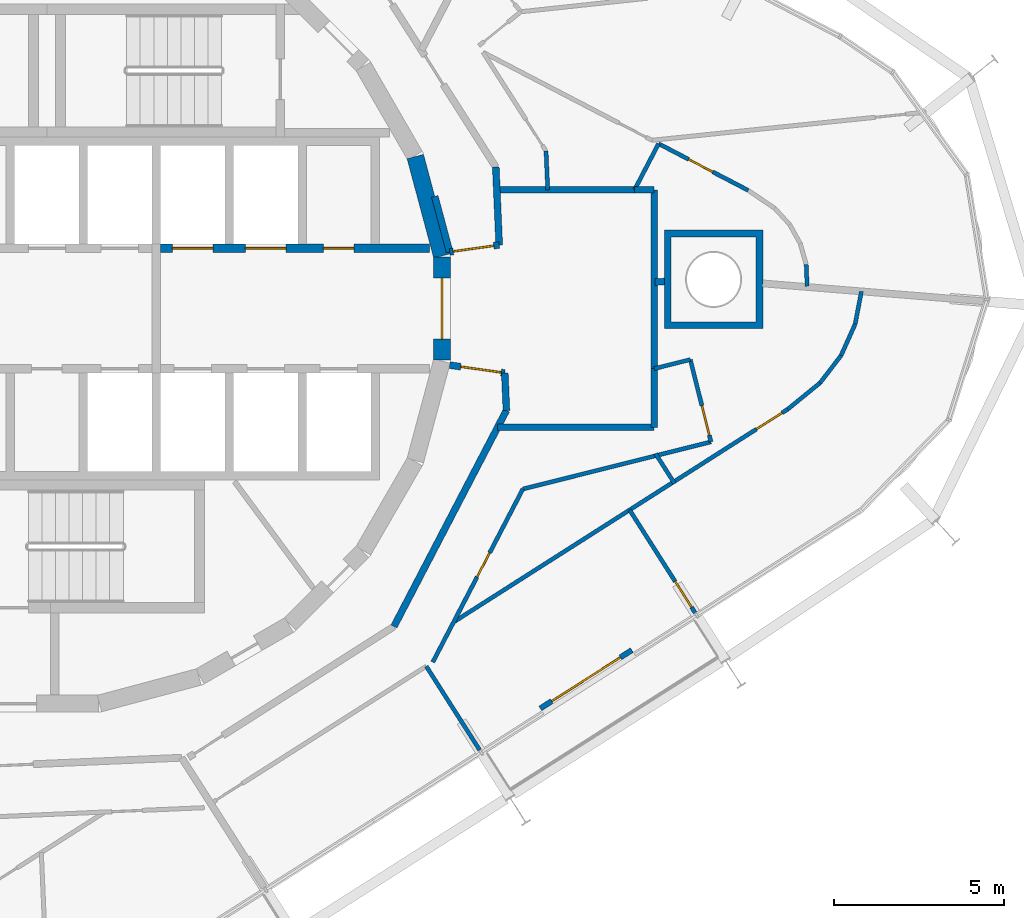
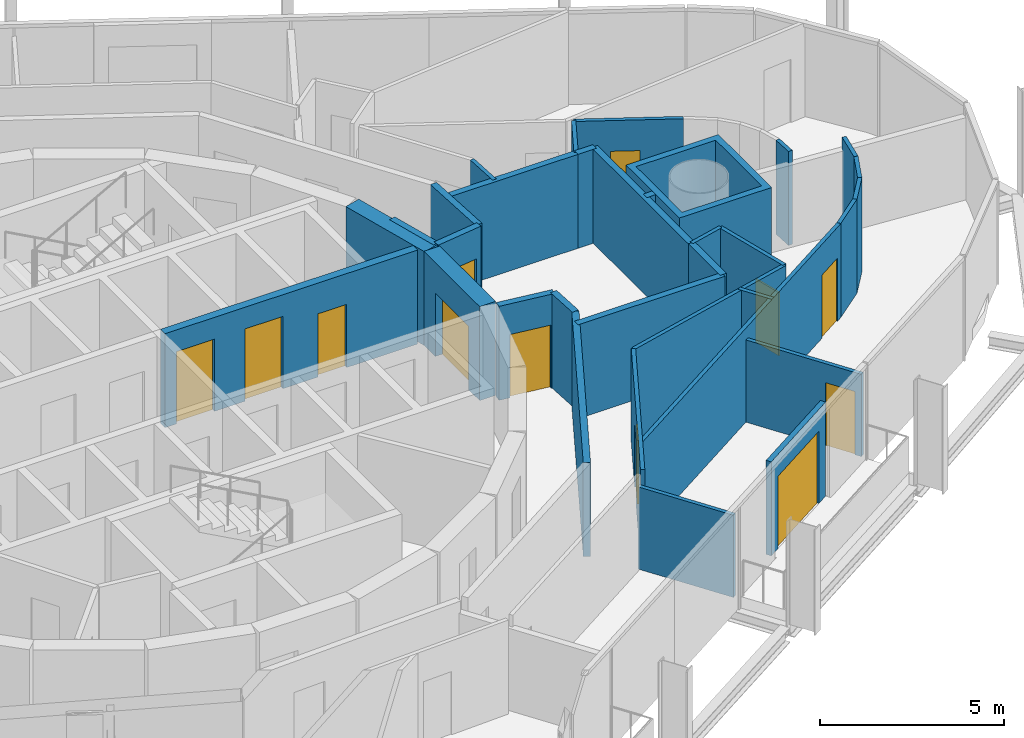
# One storey, part 14 of 18: 33 walls, 12 doors, 12 openings.
"""IFC4 building model written with IfcOpenShell, lengths in metres."""

from ifc_helpers import new_model, si_unit, direction, frame, frame_2d, origin, place, context, subcontext, project, spatial, polyline, rectangle, outline, extrude, material, layer, layer_set, type_object, element, fill, save


model = new_model("IFC4")

# Units and contexts
model_context = context("Model", 3, precision=1e-05, world=origin(), true_north=direction((0.0, 1.0)))
body_context = subcontext(model_context, "Body", "Model", "MODEL_VIEW")
ifc_project = project(units=[si_unit("LENGTHUNIT", "METRE"), si_unit("AREAUNIT", "SQUARE_METRE"), si_unit("VOLUMEUNIT", "CUBIC_METRE"), si_unit("PLANEANGLEUNIT", "RADIAN"), si_unit("MASSUNIT", "GRAM", prefix="KILO")], contexts=[model_context])

# Site, building, storey
site_placement = place(None, origin())
site = spatial("IfcSite", under=ifc_project, at=site_placement, CompositionType="ELEMENT")
building_placement = place(site_placement, origin())
building = spatial("IfcBuilding", under=site, at=building_placement, Name="Spindle Arch Residences", CompositionType="ELEMENT")
storey_placement = place(building_placement, frame((0.0, 0.0, 247.699951171875)))
storey = spatial("IfcBuildingStorey", under=building, at=storey_placement, Name="L63", CompositionType="ELEMENT", Elevation=247.699951171875)

# Wall, opening, door
ifc_material_1 = material(Name="Concrete C50/60", Category="concrete")
ifc_layer_1 = layer(ifc_material_1, 0.5)
ifc_layer_set_1 = layer_set([ifc_layer_1], Name="Core outline wall 500")
wall_type_1 = type_object("IfcWallType", Name="Core outline wall 500", PredefinedType="SHEAR", material=ifc_layer_set_1)
wall_1_placement = place(storey_placement, frame((11.647216796875, -1.516357421875, 0.0), z_axis=(0.0, 0.0, 1.0), x_axis=(0.0, 1.0, 0.0)))
wall_1 = element("IfcWall", 1, at=wall_1_placement, inside=storey, type_object=wall_type_1, Name="Core outline wall 6", PredefinedType="SHEAR", context=body_context, shape_type="SweptSolid", body=[
    extrude(rectangle(XDim=3.03271484375, YDim=0.5, at=frame_2d((1.516357421875, 0.0))), origin(), (0.0, 0.0, 1.0), 3.1201171875),
])
opening_1_placement = place(wall_1_placement, frame((0.6162109375, 0.0, 0.0)))
opening_1 = element("IfcOpeningElement", 2, at=opening_1_placement, cuts=wall_1, Name="Opening R6C0-FE01", PredefinedType="OPENING", context=body_context, shape_type="SweptSolid", body=[
    extrude(rectangle(XDim=1.800048828125, YDim=2.10009765625, at=frame_2d((0.89990234375, 1.050048828125))), frame((0.0, 0.260009765625, 0.0), z_axis=(0.0, -1.0, 0.0), x_axis=(1.0, 0.0, 0.0)), (0.0, 0.0, 1.0), 0.52001953125),
])
ifc_material_2 = material(Name="Steel, fire-resisting door", Category="steel")
door_type_1 = type_object("IfcDoorType", Name="Fire-lift lobby door 1800x2100", OperationType="DOUBLE_DOOR_SINGLE_SWING", PredefinedType="DOOR", material=ifc_material_2)
door_1_placement = place(opening_1_placement, origin())
door_1 = element("IfcDoor", 3, at=door_1_placement, inside=storey, type_object=door_type_1, Name="Fire-lift lobby door R6C0-FE01", OperationType="DOUBLE_DOOR_SINGLE_SWING", OverallHeight=2.10009765625, OverallWidth=1.800048828125, PredefinedType="DOOR", context=body_context, shape_type="SweptSolid", body=[
    extrude(rectangle(XDim=1.800048828125, YDim=2.10009765625, at=frame_2d((0.89990234375, 1.050048828125))), frame((0.0, 0.02490234375, 0.0), z_axis=(0.0, -1.0, 0.0), x_axis=(1.0, 0.0, 0.0)), (0.0, 0.0, 1.0), 0.050048828125),
])
fill(opening_1, door_1)

# Walls
wall_2_placement = place(storey_placement, frame((11.642822265625, 1.5498046875, 0.0), z_axis=(0.0, 0.0, 1.0), x_axis=(-0.258734743916, 0.965948410781, 0.0)))
element("IfcWall", 4, at=wall_2_placement, inside=storey, type_object=wall_type_1, Name="Core outline wall 7", PredefinedType="SHEAR", context=body_context, shape_type="SweptSolid", body=[
    extrude(rectangle(XDim=3.03271484375, YDim=0.5, at=frame_2d((1.516357421875, 0.0))), origin(), (0.0, 0.0, 1.0), 3.1201171875),
])
ifc_material_3 = material(Name="Calcium silicate block, plastered")
ifc_layer_2 = layer(ifc_material_3, 0.199951171875)
ifc_layer_set_2 = layer_set([ifc_layer_2], Name="Fire-lift lobby bay wall 200")
wall_type_2 = type_object("IfcWallType", Name="Fire-lift lobby bay wall 200", PredefinedType="STANDARD", material=ifc_layer_set_2)
wall_3_placement = place(storey_placement, frame((11.8701171875, 1.668212890625, 0.0), z_axis=(0.0, 0.0, 1.0), x_axis=(-0.258836880648, 0.965921047093, 0.0)))
element("IfcWall", 5, at=wall_3_placement, inside=storey, type_object=wall_type_2, Name="Fire-lift lobby bay wall R6C0-W001", PredefinedType="STANDARD", context=body_context, shape_type="SweptSolid", body=[
    extrude(rectangle(XDim=1.695068359375, YDim=0.199951171875, at=frame_2d((0.84765625, 0.0))), origin(), (0.0, 0.0, 1.0), 3.1201171875),
])

# Wall, opening, door
wall_4_placement = place(storey_placement, frame((11.8701171875, 1.668212890625, 0.0), z_axis=(0.0, 0.0, 1.0), x_axis=(0.990267985606, 0.139173692496, 0.0)))
wall_4 = element("IfcWall", 6, at=wall_4_placement, inside=storey, type_object=wall_type_2, Name="Fire-lift lobby bay wall R6C0-W002", PredefinedType="STANDARD", context=body_context, shape_type="SweptSolid", body=[
    extrude(rectangle(XDim=1.475341796875, YDim=0.199951171875, at=frame_2d((0.73779296875, 0.0))), origin(), (0.0, 0.0, 1.0), 3.1201171875),
])
opening_2_placement = place(wall_4_placement, frame((0.110107421875, 0.0, 0.0)))
opening_2 = element("IfcOpeningElement", 7, at=opening_2_placement, cuts=wall_4, Name="Opening R6C0-CD01", PredefinedType="OPENING", context=body_context, shape_type="SweptSolid", body=[
    extrude(rectangle(XDim=1.199951171875, YDim=2.10009765625, at=frame_2d((0.60009765625, 1.050048828125))), frame((0.0, 0.10986328125, 0.0), z_axis=(0.0, -1.0, 0.0), x_axis=(1.0, 0.0, 0.0)), (0.0, 0.0, 1.0), 0.219970703125),
])
ifc_material_4 = material(Name="Steel, fire-resisting door", Category="steel")
door_type_2 = type_object("IfcDoorType", Name="Corridor division door 1200x2100", OperationType="NOTDEFINED", PredefinedType="DOOR", material=ifc_material_4)
door_2_placement = place(opening_2_placement, origin())
door_2 = element("IfcDoor", 8, at=door_2_placement, inside=storey, type_object=door_type_2, Name="Corridor division door R6C0-CD01", OperationType="DOUBLE_DOOR_SINGLE_SWING", OverallHeight=2.10009765625, OverallWidth=1.199951171875, PredefinedType="DOOR", context=body_context, shape_type="SweptSolid", body=[
    extrude(rectangle(XDim=1.199951171875, YDim=2.10009765625, at=frame_2d((0.60009765625, 1.050048828125))), frame((0.0, 0.02490234375, 0.0), z_axis=(0.0, -1.0, 0.0), x_axis=(1.0, 0.0, 0.0)), (0.0, 0.0, 1.0), 0.050048828125),
])
fill(opening_2, door_2)

# Walls
wall_5_placement = place(storey_placement, frame((13.3310546875, 1.87353515625, 0.0), z_axis=(0.0, 0.0, 1.0), x_axis=(-0.043621457762, 0.999048131184, 0.0)))
element("IfcWall", 9, at=wall_5_placement, inside=storey, type_object=wall_type_2, Name="Fire-lift lobby bay wall R6C0-W003", PredefinedType="STANDARD", context=body_context, shape_type="SweptSolid", body=[
    extrude(rectangle(XDim=2.30029296875, YDim=0.199951171875, at=frame_2d((1.150146484375, 0.0))), origin(), (0.0, 0.0, 1.0), 3.1201171875),
])
wall_6_placement = place(storey_placement, frame((10.22802734375, -9.372314453125, 0.0), z_axis=(0.0, 0.0, 1.0), x_axis=(0.461759464021, 0.887005184532, 0.0)))
element("IfcWall", 10, at=wall_6_placement, inside=storey, type_object=wall_type_2, Name="Fire-lift lobby bay wall R6C0-W013", PredefinedType="STANDARD", context=body_context, shape_type="SweptSolid", body=[
    extrude(rectangle(XDim=7.18115234375, YDim=0.199951171875, at=frame_2d((3.590576171875, 0.0))), origin(), (0.0, 0.0, 1.0), 3.1201171875),
])
wall_7_placement = place(storey_placement, frame((13.5439453125, -3.002685546875, 0.0), z_axis=(0.0, 0.0, 1.0), x_axis=(-0.043666917606, 0.999046145234, 0.0)))
element("IfcWall", 11, at=wall_7_placement, inside=storey, type_object=wall_type_2, Name="Fire-lift lobby bay wall R6C0-W014", PredefinedType="STANDARD", context=body_context, shape_type="SweptSolid", body=[
    extrude(rectangle(XDim=1.10693359375, YDim=0.199951171875, at=frame_2d((0.553466796875, 0.0))), origin(), (0.0, 0.0, 1.0), 3.1201171875),
])

# Wall, opening, door
wall_8_placement = place(storey_placement, frame((13.49560546875, -1.896728515625, 0.0), z_axis=(0.0, 0.0, 1.0), x_axis=(-0.99026234641, 0.139213811391, 0.0)))
wall_8 = element("IfcWall", 12, at=wall_8_placement, inside=storey, type_object=wall_type_2, Name="Fire-lift lobby bay wall R6C0-W015", PredefinedType="STANDARD", context=body_context, shape_type="SweptSolid", body=[
    extrude(rectangle(XDim=1.641357421875, YDim=0.199951171875, at=frame_2d((0.82080078125, 0.0))), origin(), (0.0, 0.0, 1.0), 3.1201171875),
])
opening_3_placement = place(wall_8_placement, frame((0.110107421875, 0.0, 0.0)))
opening_3 = element("IfcOpeningElement", 13, at=opening_3_placement, cuts=wall_8, Name="Opening R6C0-CD02", PredefinedType="OPENING", context=body_context, shape_type="SweptSolid", body=[
    extrude(rectangle(XDim=1.199951171875, YDim=2.10009765625, at=frame_2d((0.60009765625, 1.050048828125))), frame((0.0, 0.10986328125, 0.0), z_axis=(0.0, -1.0, 0.0), x_axis=(1.0, 0.0, 0.0)), (0.0, 0.0, 1.0), 0.219970703125),
])
door_3_placement = place(opening_3_placement, origin())
door_3 = element("IfcDoor", 14, at=door_3_placement, inside=storey, type_object=door_type_2, Name="Corridor division door R6C0-CD02", OperationType="DOUBLE_DOOR_SINGLE_SWING", OverallHeight=2.10009765625, OverallWidth=1.199951171875, PredefinedType="DOOR", context=body_context, shape_type="SweptSolid", body=[
    extrude(rectangle(XDim=1.199951171875, YDim=2.10009765625, at=frame_2d((0.60009765625, 1.050048828125))), frame((0.0, 0.02490234375, 0.0), z_axis=(0.0, -1.0, 0.0), x_axis=(1.0, 0.0, 0.0)), (0.0, 0.0, 1.0), 0.050048828125),
])
fill(opening_3, door_3)

# Walls
wall_9_placement = place(storey_placement, frame((17.32080078125, 3.5, 0.0), z_axis=(0.0, 0.0, 1.0), x_axis=(-1.0, 0.0, 0.0)))
element("IfcWall", 15, at=wall_9_placement, inside=storey, type_object=wall_type_2, Name="Fire-lift lobby bay wall R6C0-W025", PredefinedType="STANDARD", context=body_context, shape_type="SweptSolid", body=[
    extrude(rectangle(XDim=4.060791015625, YDim=0.199951171875, at=frame_2d((2.0302734375, 0.0))), origin(), (0.0, 0.0, 1.0), 3.1201171875),
])
wall_10_placement = place(storey_placement, frame((17.89990234375, -1.77197265625, 0.0), z_axis=(0.0, 0.0, 1.0), x_axis=(0.0, 1.0, 0.0)))
element("IfcWall", 16, at=wall_10_placement, inside=storey, type_object=wall_type_2, Name="Fire-lift lobby bay wall R6C0-W026", PredefinedType="STANDARD", context=body_context, shape_type="SweptSolid", body=[
    extrude(rectangle(XDim=5.27197265625, YDim=0.199951171875, at=frame_2d((2.635986328125, 0.0))), origin(), (0.0, 0.0, 1.0), 3.1201171875),
])
wall_11_placement = place(storey_placement, frame((17.89990234375, 3.5, 0.0), z_axis=(0.0, 0.0, 1.0), x_axis=(-1.0, 0.0, 0.0)))
element("IfcWall", 17, at=wall_11_placement, inside=storey, type_object=wall_type_2, Name="Fire-lift lobby bay wall R6C0-W027", PredefinedType="STANDARD", context=body_context, shape_type="SweptSolid", body=[
    extrude(rectangle(XDim=0.5791015625, YDim=0.199951171875, at=frame_2d((0.28955078125, 0.0))), origin(), (0.0, 0.0, 1.0), 3.1201171875),
])
wall_12_placement = place(storey_placement, frame((13.284912109375, -3.5, 0.0), z_axis=(0.0, 0.0, 1.0), x_axis=(1.0, 0.0, 0.0)))
element("IfcWall", 18, at=wall_12_placement, inside=storey, type_object=wall_type_2, Name="Fire-lift lobby bay wall R6C0-W028", PredefinedType="STANDARD", context=body_context, shape_type="SweptSolid", body=[
    extrude(rectangle(XDim=4.614990234375, YDim=0.199951171875, at=frame_2d((2.3076171875, 0.0))), origin(), (0.0, 0.0, 1.0), 3.1201171875),
])
wall_13_placement = place(storey_placement, frame((17.89990234375, -3.5, 0.0), z_axis=(0.0, 0.0, 1.0), x_axis=(0.0, 1.0, 0.0)))
element("IfcWall", 19, at=wall_13_placement, inside=storey, type_object=wall_type_2, Name="Fire-lift lobby bay wall R6C0-W029", PredefinedType="STANDARD", context=body_context, shape_type="SweptSolid", body=[
    extrude(rectangle(XDim=1.72802734375, YDim=0.199951171875, at=frame_2d((0.864013671875, 0.0))), origin(), (0.0, 0.0, 1.0), 3.1201171875),
])

# Wall, openings, doors
ifc_material_5 = material(Name="Concrete C40/50", Category="concrete")
ifc_layer_3 = layer(ifc_material_5, 0.25)
ifc_layer_set_3 = layer_set([ifc_layer_3], Name="Fire-lift lobby wall 250")
wall_type_3 = type_object("IfcWallType", Name="Fire-lift lobby wall 250", PredefinedType="SHEAR", material=ifc_layer_set_3)
wall_14_placement = place(storey_placement, frame((3.35009765625, 1.77490234375, 0.0), z_axis=(0.0, 0.0, 1.0), x_axis=(1.0, 0.0, 0.0)))
wall_14 = element("IfcWall", 20, at=wall_14_placement, inside=storey, type_object=wall_type_3, Name="Lift shaft front wall NE", PredefinedType="SHEAR", context=body_context, shape_type="SweptSolid", body=[
    extrude(rectangle(XDim=7.929931640625, YDim=0.25, at=frame_2d((3.96484375, 0.0))), origin(), (0.0, 0.0, 1.0), 3.1201171875),
])
opening_4_placement = place(wall_14_placement, frame((0.35009765625, 0.0, 0.0)))
opening_4 = element("IfcOpeningElement", 21, at=opening_4_placement, cuts=wall_14, Name="Opening R6C0-SLD01", PredefinedType="OPENING", context=body_context, shape_type="SweptSolid", body=[
    extrude(rectangle(XDim=1.199951171875, YDim=2.39990234375, at=frame_2d((0.60009765625, 1.199951171875))), frame((0.0, 0.135009765625, 0.0), z_axis=(0.0, -1.0, 0.0), x_axis=(1.0, 0.0, 0.0)), (0.0, 0.0, 1.0), 0.27001953125),
])
opening_5_placement = place(wall_14_placement, frame((2.5, 0.0, 0.0)))
opening_5 = element("IfcOpeningElement", 22, at=opening_5_placement, cuts=wall_14, Name="Opening R6C0-SLD02", PredefinedType="OPENING", context=body_context, shape_type="SweptSolid", body=[
    extrude(rectangle(XDim=1.199951171875, YDim=2.39990234375, at=frame_2d((0.60009765625, 1.199951171875))), frame((0.0, 0.135009765625, 0.0), z_axis=(0.0, -1.0, 0.0), x_axis=(1.0, 0.0, 0.0)), (0.0, 0.0, 1.0), 0.27001953125),
])
opening_6_placement = place(wall_14_placement, frame((4.800048828125, 0.0, 0.0)))
opening_6 = element("IfcOpeningElement", 23, at=opening_6_placement, cuts=wall_14, Name="Opening R6C0-WD02", PredefinedType="OPENING", context=body_context, shape_type="SweptSolid", body=[
    extrude(rectangle(XDim=0.89990234375, YDim=2.10009765625, at=frame_2d((0.449951171875, 1.050048828125))), frame((0.0, 0.135009765625, 0.0), z_axis=(0.0, -1.0, 0.0), x_axis=(1.0, 0.0, 0.0)), (0.0, 0.0, 1.0), 0.27001953125),
])
ifc_material_6 = material(Name="Steel, fire-resisting landing door", Category="steel")
door_type_3 = type_object("IfcDoorType", Name="Service lift landing door 1200x2400", OperationType="DOUBLE_DOOR_SLIDING", PredefinedType="DOOR", material=ifc_material_6)
door_4_placement = place(opening_4_placement, origin())
door_4 = element("IfcDoor", 24, at=door_4_placement, inside=storey, type_object=door_type_3, Name="Service lift landing door R6C0-SLD01", OperationType="DOUBLE_DOOR_SLIDING", OverallHeight=2.39990234375, OverallWidth=1.199951171875, PredefinedType="DOOR", context=body_context, shape_type="SweptSolid", body=[
    extrude(rectangle(XDim=1.199951171875, YDim=2.39990234375, at=frame_2d((0.60009765625, 1.199951171875))), frame((0.0, 0.02490234375, 0.0), z_axis=(0.0, -1.0, 0.0), x_axis=(1.0, 0.0, 0.0)), (0.0, 0.0, 1.0), 0.050048828125),
])
fill(opening_4, door_4)
door_5_placement = place(opening_5_placement, origin())
door_5 = element("IfcDoor", 25, at=door_5_placement, inside=storey, type_object=door_type_3, Name="Service lift landing door R6C0-SLD02", OperationType="DOUBLE_DOOR_SLIDING", OverallHeight=2.39990234375, OverallWidth=1.199951171875, PredefinedType="DOOR", context=body_context, shape_type="SweptSolid", body=[
    extrude(rectangle(XDim=1.199951171875, YDim=2.39990234375, at=frame_2d((0.60009765625, 1.199951171875))), frame((0.0, 0.02490234375, 0.0), z_axis=(0.0, -1.0, 0.0), x_axis=(1.0, 0.0, 0.0)), (0.0, 0.0, 1.0), 0.050048828125),
])
fill(opening_5, door_5)
ifc_material_7 = material(Name="Steel, fire-resisting door", Category="steel")
door_type_4 = type_object("IfcDoorType", Name="Service room door 900x2100", OperationType="SINGLE_SWING_LEFT", PredefinedType="DOOR", material=ifc_material_7)
door_6_placement = place(opening_6_placement, origin())
door_6 = element("IfcDoor", 26, at=door_6_placement, inside=storey, type_object=door_type_4, Name="Service room door R6C0-WD02", OperationType="SINGLE_SWING_RIGHT", OverallHeight=2.10009765625, OverallWidth=0.89990234375, PredefinedType="DOOR", context=body_context, shape_type="SweptSolid", body=[
    extrude(rectangle(XDim=0.89990234375, YDim=2.10009765625, at=frame_2d((0.449951171875, 1.050048828125))), frame((0.0, 0.02490234375, 0.0), z_axis=(0.0, -1.0, 0.0), x_axis=(1.0, 0.0, 0.0)), (0.0, 0.0, 1.0), 0.050048828125),
])
fill(opening_6, door_6)

# Wall
ifc_material_8 = material(Name="Plasterboard on steel studs", Category="steel")
ifc_layer_4 = layer(ifc_material_8, 0.1201171875)
ifc_layer_set_4 = layer_set([ifc_layer_4], Name="Flat partition 120")
wall_type_4 = type_object("IfcWallType", Name="Flat partition 120", PredefinedType="PARTITIONING", material=ifc_layer_set_4)
wall_15_placement = place(storey_placement, frame((14.761474609375, 3.5, 0.0), z_axis=(0.0, 0.0, 1.0), x_axis=(-0.04369750018, 0.999044808043, 0.0)))
element("IfcWall", 27, at=wall_15_placement, inside=storey, type_object=wall_type_4, Name="Flat partition R6C0-W042", PredefinedType="PARTITIONING", context=body_context, shape_type="SweptSolid", body=[
    extrude(rectangle(XDim=1.1396484375, YDim=0.1201171875, at=frame_2d((0.56982421875, 0.0))), origin(), (0.0, 0.0, 1.0), 3.1201171875),
])

# Wall, opening, door
wall_16_placement = place(storey_placement, frame((18.028076171875, 4.85888671875, 0.0), z_axis=(0.0, 0.0, 1.0), x_axis=(0.88702512027, -0.46172116695, 0.0)))
wall_16 = element("IfcWall", 28, at=wall_16_placement, inside=storey, type_object=wall_type_4, Name="Flat partition R6C0-W047", PredefinedType="PARTITIONING", context=body_context, shape_type="SweptSolid", body=[
    extrude(rectangle(XDim=2.983154296875, YDim=0.1201171875, at=frame_2d((1.49169921875, 0.0))), origin(), (0.0, 0.0, 1.0), 3.1201171875),
])
opening_7_placement = place(wall_16_placement, frame((1.0, 0.0, 0.0)))
opening_7 = element("IfcOpeningElement", 29, at=opening_7_placement, cuts=wall_16, Name="Opening R6C0-BD01", PredefinedType="OPENING", context=body_context, shape_type="SweptSolid", body=[
    extrude(rectangle(XDim=0.800048828125, YDim=2.10009765625, at=frame_2d((0.39990234375, 1.050048828125))), frame((0.0, 0.070068359375, 0.0), z_axis=(0.0, -1.0, 0.0), x_axis=(1.0, 0.0, 0.0)), (0.0, 0.0, 1.0), 0.14013671875),
])
ifc_material_9 = material(Name="Timber door set", Category="wood")
door_type_5 = type_object("IfcDoorType", Name="Bathroom door 800x2100", OperationType="NOTDEFINED", PredefinedType="DOOR", material=ifc_material_9)
door_7_placement = place(opening_7_placement, origin())
door_7 = element("IfcDoor", 30, at=door_7_placement, inside=storey, type_object=door_type_5, Name="Bathroom door R6C0-BD01", OperationType="SINGLE_SWING_RIGHT", OverallHeight=2.10009765625, OverallWidth=0.800048828125, PredefinedType="DOOR", context=body_context, shape_type="SweptSolid", body=[
    extrude(rectangle(XDim=0.800048828125, YDim=2.10009765625, at=frame_2d((0.39990234375, 1.050048828125))), frame((0.0, 0.02490234375, 0.0), z_axis=(0.0, -1.0, 0.0), x_axis=(1.0, 0.0, 0.0)), (0.0, 0.0, 1.0), 0.050048828125),
])
fill(opening_7, door_7)

# Walls
wall_17_placement = place(storey_placement, frame((22.37939453125, 1.29833984375, 0.0), z_axis=(0.0, 0.0, 1.0), x_axis=(0.043354705242, -0.999059742725, 0.0)))
element("IfcWall", 31, at=wall_17_placement, inside=storey, type_object=wall_type_4, Name="Flat partition R6C0-W052", PredefinedType="PARTITIONING", context=body_context, shape_type="SweptSolid", body=[
    extrude(rectangle(XDim=0.641845703125, YDim=0.1201171875, at=frame_2d((0.32080078125, 0.0))), origin(), (0.0, 0.0, 1.0), 3.1201171875),
])
wall_18_placement = place(storey_placement, frame((18.028076171875, 4.85888671875, 0.0), z_axis=(0.0, 0.0, 1.0), x_axis=(-0.461688901614, -0.887041914526, 0.0)))
element("IfcWall", 32, at=wall_18_placement, inside=storey, type_object=wall_type_4, Name="Flat partition R6C0-W054", PredefinedType="PARTITIONING", context=body_context, shape_type="SweptSolid", body=[
    extrude(rectangle(XDim=1.531982421875, YDim=0.1201171875, at=frame_2d((0.76611328125, 0.0))), origin(), (0.0, 0.0, 1.0), 3.1201171875),
])

# Wall, opening, door
wall_19_placement = place(storey_placement, frame((11.373046875, -10.42138671875, 0.0), z_axis=(0.0, 0.0, 1.0), x_axis=(0.461738939635, 0.887015868869, 0.0)))
wall_19 = element("IfcWall", 33, at=wall_19_placement, inside=storey, type_object=wall_type_4, Name="Flat partition R6C0-W109", PredefinedType="PARTITIONING", context=body_context, shape_type="SweptSolid", body=[
    extrude(rectangle(XDim=5.751708984375, YDim=0.1201171875, at=frame_2d((2.8759765625, 0.0))), origin(), (0.0, 0.0, 1.0), 3.1201171875),
])
opening_8_placement = place(wall_19_placement, frame((2.831298828125, 0.0, 0.0)))
opening_8 = element("IfcOpeningElement", 34, at=opening_8_placement, cuts=wall_19, Name="Opening R6C0-BD06", PredefinedType="OPENING", context=body_context, shape_type="SweptSolid", body=[
    extrude(rectangle(XDim=0.800048828125, YDim=2.10009765625, at=frame_2d((0.39990234375, 1.050048828125))), frame((0.0, 0.070068359375, 0.0), z_axis=(0.0, -1.0, 0.0), x_axis=(1.0, 0.0, 0.0)), (0.0, 0.0, 1.0), 0.14013671875),
])
door_8_placement = place(opening_8_placement, origin())
door_8 = element("IfcDoor", 35, at=door_8_placement, inside=storey, type_object=door_type_5, Name="Bathroom door R6C0-BD06", OperationType="SINGLE_SWING_RIGHT", OverallHeight=2.10009765625, OverallWidth=0.800048828125, PredefinedType="DOOR", context=body_context, shape_type="SweptSolid", body=[
    extrude(rectangle(XDim=0.800048828125, YDim=2.10009765625, at=frame_2d((0.39990234375, 1.050048828125))), frame((0.0, 0.02490234375, 0.0), z_axis=(0.0, -1.0, 0.0), x_axis=(1.0, 0.0, 0.0)), (0.0, 0.0, 1.0), 0.050048828125),
])
fill(opening_8, door_8)

# Wall
wall_20_placement = place(storey_placement, frame((14.02880859375, -5.319580078125, 0.0), z_axis=(0.0, 0.0, 1.0), x_axis=(0.969999099814, 0.243108507378, 0.0)))
element("IfcWall", 36, at=wall_20_placement, inside=storey, type_object=wall_type_4, Name="Flat partition R6C0-W110", PredefinedType="PARTITIONING", context=body_context, shape_type="SweptSolid", body=[
    extrude(rectangle(XDim=5.715087890625, YDim=0.1201171875, at=frame_2d((2.857421875, 0.0))), origin(), (0.0, 0.0, 1.0), 3.1201171875),
])

# Wall, opening, door
wall_21_placement = place(storey_placement, frame((19.572509765625, -3.93017578125, 0.0), z_axis=(0.0, 0.0, 1.0), x_axis=(-0.243155959183, 0.96998720585, 0.0)))
wall_21 = element("IfcWall", 37, at=wall_21_placement, inside=storey, type_object=wall_type_4, Name="Flat partition R6C0-W111", PredefinedType="PARTITIONING", context=body_context, shape_type="SweptSolid", body=[
    extrude(rectangle(XDim=2.5, YDim=0.1201171875, at=frame_2d((1.25, 0.0))), origin(), (0.0, 0.0, 1.0), 3.1201171875),
])
opening_9_placement = place(wall_21_placement, frame((0.199951171875, 0.0, 0.0)))
opening_9 = element("IfcOpeningElement", 38, at=opening_9_placement, cuts=wall_21, Name="Opening R6C0-ID26", PredefinedType="OPENING", context=body_context, shape_type="SweptSolid", body=[
    extrude(rectangle(XDim=0.89990234375, YDim=2.10009765625, at=frame_2d((0.449951171875, 1.050048828125))), frame((0.0, 0.070068359375, 0.0), z_axis=(0.0, -1.0, 0.0), x_axis=(1.0, 0.0, 0.0)), (0.0, 0.0, 1.0), 0.14013671875),
])
ifc_material_10 = material(Name="Timber door set", Category="wood")
door_type_6 = type_object("IfcDoorType", Name="Room door 900x2100", OperationType="NOTDEFINED", PredefinedType="DOOR", material=ifc_material_10)
door_9_placement = place(opening_9_placement, origin())
door_9 = element("IfcDoor", 39, at=door_9_placement, inside=storey, type_object=door_type_6, Name="Room door R6C0-ID26", OperationType="SINGLE_SWING_RIGHT", OverallHeight=2.10009765625, OverallWidth=0.89990234375, PredefinedType="DOOR", context=body_context, shape_type="SweptSolid", body=[
    extrude(rectangle(XDim=0.89990234375, YDim=2.10009765625, at=frame_2d((0.449951171875, 1.050048828125))), frame((0.0, 0.02490234375, 0.0), z_axis=(0.0, -1.0, 0.0), x_axis=(1.0, 0.0, 0.0)), (0.0, 0.0, 1.0), 0.050048828125),
])
fill(opening_9, door_9)

# Wall
wall_22_placement = place(storey_placement, frame((18.964599609375, -1.505126953125, 0.0), z_axis=(0.0, 0.0, 1.0), x_axis=(-0.969998406835, -0.243111272339, 0.0)))
element("IfcWall", 40, at=wall_22_placement, inside=storey, type_object=wall_type_4, Name="Flat partition R6C0-W112", PredefinedType="PARTITIONING", context=body_context, shape_type="SweptSolid", body=[
    extrude(rectangle(XDim=1.09765625, YDim=0.1201171875, at=frame_2d((0.548828125, 0.0))), origin(), (0.0, 0.0, 1.0), 3.1201171875),
])

# Wall, opening, door
wall_23_placement = place(storey_placement, frame((21.837158203125, -2.9658203125, 0.0), z_axis=(0.0, 0.0, 1.0), x_axis=(-0.843394529709, -0.537294767569, 0.0)))
wall_23 = element("IfcWall", 41, at=wall_23_placement, inside=storey, type_object=wall_type_4, Name="Flat partition R6C0-W114", PredefinedType="PARTITIONING", context=body_context, shape_type="SweptSolid", body=[
    extrude(rectangle(XDim=11.67822265625, YDim=0.1201171875, at=frame_2d((5.839111328125, 0.0))), origin(), (0.0, 0.0, 1.0), 3.1201171875),
])
opening_10_placement = place(wall_23_placement, frame((0.199951171875, 0.0, 0.0)))
opening_10 = element("IfcOpeningElement", 42, at=opening_10_placement, cuts=wall_23, Name="Opening R6C0-ID27", PredefinedType="OPENING", context=body_context, shape_type="SweptSolid", body=[
    extrude(rectangle(XDim=0.89990234375, YDim=2.10009765625, at=frame_2d((0.449951171875, 1.050048828125))), frame((0.0, 0.070068359375, 0.0), z_axis=(0.0, -1.0, 0.0), x_axis=(1.0, 0.0, 0.0)), (0.0, 0.0, 1.0), 0.14013671875),
])
door_10_placement = place(opening_10_placement, origin())
door_10 = element("IfcDoor", 43, at=door_10_placement, inside=storey, type_object=door_type_6, Name="Room door R6C0-ID27", OperationType="SINGLE_SWING_RIGHT", OverallHeight=2.10009765625, OverallWidth=0.89990234375, PredefinedType="DOOR", context=body_context, shape_type="SweptSolid", body=[
    extrude(rectangle(XDim=0.89990234375, YDim=2.10009765625, at=frame_2d((0.449951171875, 1.050048828125))), frame((0.0, 0.02490234375, 0.0), z_axis=(0.0, -1.0, 0.0), x_axis=(1.0, 0.0, 0.0)), (0.0, 0.0, 1.0), 0.050048828125),
])
fill(opening_10, door_10)

# Walls
wall_24_placement = place(storey_placement, frame((18.5029296875, -5.160888671875, 0.0), z_axis=(0.0, 0.0, 1.0), x_axis=(-0.537208231854, 0.843449652101, 0.0)))
element("IfcWall", 44, at=wall_24_placement, inside=storey, type_object=wall_type_4, Name="Flat partition R6C0-W116", PredefinedType="PARTITIONING", context=body_context, shape_type="SweptSolid", body=[
    extrude(rectangle(XDim=1.04443359375, YDim=0.1201171875, at=frame_2d((0.522216796875, 0.0))), origin(), (0.0, 0.0, 1.0), 3.1201171875),
])
wall_25_placement = place(storey_placement, frame((24.00732421875, 0.505859375, 0.0), z_axis=(0.0, 0.0, 1.0), x_axis=(-0.187878189528, -0.98219233651, 0.0)))
element("IfcWall", 45, at=wall_25_placement, inside=storey, type_object=wall_type_4, Name="Flat partition R6C0-W117", PredefinedType="PARTITIONING", context=body_context, shape_type="SweptSolid", body=[
    extrude(rectangle(XDim=0.981201171875, YDim=0.1201171875, at=frame_2d((0.49072265625, 0.0))), origin(), (0.0, 0.0, 1.0), 3.1201171875),
])
wall_26_placement = place(storey_placement, frame((23.822998046875, -0.457763671875, 0.0), z_axis=(0.0, 0.0, 1.0), x_axis=(-0.409435319137, -0.912339147161, 0.0)))
element("IfcWall", 46, at=wall_26_placement, inside=storey, type_object=wall_type_4, Name="Flat partition R6C0-W118", PredefinedType="PARTITIONING", context=body_context, shape_type="SweptSolid", body=[
    extrude(rectangle(XDim=1.01611328125, YDim=0.1201171875, at=frame_2d((0.508056640625, 0.0))), origin(), (0.0, 0.0, 1.0), 3.1201171875),
])
wall_27_placement = place(storey_placement, frame((23.406982421875, -1.384765625, 0.0), z_axis=(0.0, 0.0, 1.0), x_axis=(-0.608769538934, -0.793347117261, 0.0)))
element("IfcWall", 47, at=wall_27_placement, inside=storey, type_object=wall_type_4, Name="Flat partition R6C0-W119", PredefinedType="PARTITIONING", context=body_context, shape_type="SweptSolid", body=[
    extrude(rectangle(XDim=1.015869140625, YDim=0.1201171875, at=frame_2d((0.5078125, 0.0))), origin(), (0.0, 0.0, 1.0), 3.1201171875),
])
wall_28_placement = place(storey_placement, frame((22.78857421875, -2.190673828125, 0.0), z_axis=(0.0, 0.0, 1.0), x_axis=(-0.775267457727, -0.631633096813, 0.0)))
element("IfcWall", 48, at=wall_28_placement, inside=storey, type_object=wall_type_4, Name="Flat partition R6C0-W120", PredefinedType="PARTITIONING", context=body_context, shape_type="SweptSolid", body=[
    extrude(rectangle(XDim=1.227294921875, YDim=0.1201171875, at=frame_2d((0.61376953125, 0.0))), origin(), (0.0, 0.0, 1.0), 3.1201171875),
])
ifc_material_11 = material(Name="Plasterboard on steel studs", Category="steel")
ifc_layer_5 = layer(ifc_material_11, 0.1201171875)
ifc_layer_set_5 = layer_set([ifc_layer_5], Name="Flat partition 120 under beam 2730")
wall_type_5 = type_object("IfcWallType", Name="Flat partition 120 under beam 2730", PredefinedType="PARTITIONING", material=ifc_layer_set_5)
wall_29_placement = place(storey_placement, frame((12.7578125, -13.018310546875, 0.0), z_axis=(0.0, 0.0, 1.0), x_axis=(-0.537338423153, 0.843366716798, 0.0)))
element("IfcWall", 49, at=wall_29_placement, inside=storey, type_object=wall_type_5, Name="Flat partition R6C0-W113", PredefinedType="PARTITIONING", context=body_context, shape_type="SweptSolid", body=[
    extrude(rectangle(XDim=2.93408203125, YDim=0.1201171875, at=frame_2d((1.467041015625, 0.0))), origin(), (0.0, 0.0, 1.0), 2.72998046875),
])

# Wall, opening, door
wall_30_placement = place(storey_placement, frame((19.108642578125, -8.972412109375, 0.0), z_axis=(0.0, 0.0, 1.0), x_axis=(-0.537318625891, 0.843379329999, 0.0)))
wall_30 = element("IfcWall", 50, at=wall_30_placement, inside=storey, type_object=wall_type_5, Name="Flat partition R6C0-W115", PredefinedType="PARTITIONING", context=body_context, shape_type="SweptSolid", body=[
    extrude(rectangle(XDim=3.599853515625, YDim=0.1201171875, at=frame_2d((1.7998046875, 0.0))), origin(), (0.0, 0.0, 1.0), 2.72998046875),
])
opening_11_placement = place(wall_30_placement, frame((0.199951171875, 0.0, 0.0)))
opening_11 = element("IfcOpeningElement", 51, at=opening_11_placement, cuts=wall_30, Name="Opening R6C0-ID28", PredefinedType="OPENING", context=body_context, shape_type="SweptSolid", body=[
    extrude(rectangle(XDim=0.89990234375, YDim=2.10009765625, at=frame_2d((0.449951171875, 1.050048828125))), frame((0.0, 0.070068359375, 0.0), z_axis=(0.0, -1.0, 0.0), x_axis=(1.0, 0.0, 0.0)), (0.0, 0.0, 1.0), 0.14013671875),
])
door_11_placement = place(opening_11_placement, origin())
door_11 = element("IfcDoor", 52, at=door_11_placement, inside=storey, type_object=door_type_6, Name="Room door R6C0-ID28", OperationType="SINGLE_SWING_LEFT", OverallHeight=2.10009765625, OverallWidth=0.89990234375, PredefinedType="DOOR", context=body_context, shape_type="SweptSolid", body=[
    extrude(rectangle(XDim=0.89990234375, YDim=2.10009765625, at=frame_2d((0.449951171875, 1.050048828125))), frame((0.0, 0.02490234375, 0.0), z_axis=(0.0, -1.0, 0.0), x_axis=(1.0, 0.0, 0.0)), (0.0, 0.0, 1.0), 0.050048828125),
])
fill(opening_11, door_11)

# Wall
ifc_material_12 = material(Name="Calcium silicate block, plastered")
ifc_layer_6 = layer(ifc_material_12, 0.199951171875)
ifc_layer_set_6 = layer_set([ifc_layer_6], Name="Flat party wall 200")
wall_type_6 = type_object("IfcWallType", Name="Flat party wall 200", PredefinedType="STANDARD", material=ifc_layer_set_6)
wall_31_placement = place(storey_placement, frame((17.919921875, 0.782470703125, 0.0), z_axis=(0.0, 0.0, 1.0), x_axis=(0.999051221661, 0.04355061995, 0.0)))
element("IfcWall", 53, at=wall_31_placement, inside=storey, type_object=wall_type_6, Name="Flat party wall R6C0-W032", PredefinedType="STANDARD", context=body_context, shape_type="SweptSolid", body=[
    extrude(rectangle(XDim=0.2802734375, YDim=0.199951171875, at=frame_2d((0.14013671875, 0.0))), origin(), (0.0, 0.0, 1.0), 3.1201171875),
])

# Wall, opening, door
ifc_material_13 = material(Name="Non-combustible mineral wool insulated aluminium faced external wall (K0)", Category="aluminium")
ifc_layer_7 = layer(ifc_material_13, 0.159912109375)
ifc_layer_set_7 = layer_set([ifc_layer_7], Name="Insulated external wall panel 160")
wall_type_7 = type_object("IfcWallType", Name="Insulated external wall panel 160", PredefinedType="STANDARD", material=ifc_layer_set_7)
wall_32_placement = place(storey_placement, frame((14.540771484375, -11.78759765625, 0.0), z_axis=(0.0, 0.0, 1.0), x_axis=(0.843419508298, 0.53725555653, 0.0)))
wall_32 = element("IfcWall", 54, at=wall_32_placement, inside=storey, type_object=wall_type_7, Name="External wall L63 bay 1", PredefinedType="STANDARD", context=body_context, shape_type="SweptSolid", body=[
    extrude(rectangle(XDim=3.199951171875, YDim=0.159912109375, at=frame_2d((1.60009765625, 0.0))), origin(), (0.0, 0.0, 1.0), 3.1201171875),
])
opening_12_placement = place(wall_32_placement, frame((0.39990234375, 0.0, 0.0)))
opening_12 = element("IfcOpeningElement", 55, at=opening_12_placement, cuts=wall_32, Name="Opening BD01", PredefinedType="OPENING", context=body_context, shape_type="SweptSolid", body=[
    extrude(rectangle(XDim=2.39990234375, YDim=2.39990234375, at=frame_2d((1.199951171875, 1.199951171875))), frame((0.0, 0.08984375, 0.0), z_axis=(0.0, -1.0, 0.0), x_axis=(1.0, 0.0, 0.0)), (0.0, 0.0, 1.0), 0.179931640625),
])
ifc_material_14 = material(Name="Bronze aluminium frame, tinted double glazing", Category="aluminium")
door_type_7 = type_object("IfcDoorType", Name="Sliding glazed balcony door 2400x2400", OperationType="DOUBLE_DOOR_SLIDING", PredefinedType="DOOR", material=ifc_material_14)
door_12_placement = place(opening_12_placement, origin())
door_12 = element("IfcDoor", 56, at=door_12_placement, inside=storey, type_object=door_type_7, Name="Balcony door BD01", OperationType="DOUBLE_DOOR_SLIDING", OverallHeight=2.39990234375, OverallWidth=2.39990234375, PredefinedType="DOOR", context=body_context, shape_type="SweptSolid", body=[
    extrude(rectangle(XDim=2.39990234375, YDim=2.39990234375, at=frame_2d((1.199951171875, 1.199951171875))), frame((0.0, 0.02490234375, 0.0), z_axis=(0.0, -1.0, 0.0), x_axis=(1.0, 0.0, 0.0)), (0.0, 0.0, 1.0), 0.050048828125),
])
fill(opening_12, door_12)

# Wall
ifc_material_15 = material(Name="Calcium silicate block, plastered")
ifc_layer_8 = layer(ifc_material_15, 0.199951171875)
ifc_layer_set_8 = layer_set([ifc_layer_8], Name="Mega-column casing wall 200")
wall_type_8 = type_object("IfcWallType", Name="Mega-column casing wall 200", PredefinedType="STANDARD", material=ifc_layer_set_8)
wall_33_placement = place(storey_placement, origin())
element("IfcWall", 57, at=wall_33_placement, inside=storey, type_object=wall_type_8, Name="Mega-column casing wall R6C0-WC01", PredefinedType="STANDARD", context=body_context, shape_type="SweptSolid", body=[
    extrude(outline(polyline([(21.10009765625, 2.307861328125), (21.10009765625, -0.592041015625), (18.199951171875, -0.592041015625), (18.199951171875, 2.307861328125), (21.10009765625, 2.307861328125)]), holes=[polyline([(18.39990234375, -0.39208984375), (20.89990234375, -0.39208984375), (20.89990234375, 2.10791015625), (18.39990234375, 2.10791015625), (18.39990234375, -0.39208984375)])]), origin(), (0.0, 0.0, 1.0), 3.1201171875),
])

save(model, "model.ifc")
